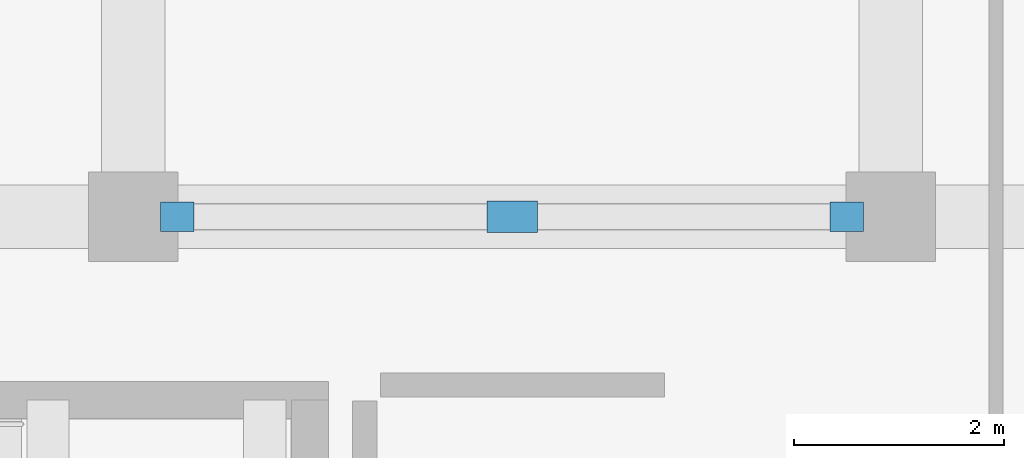
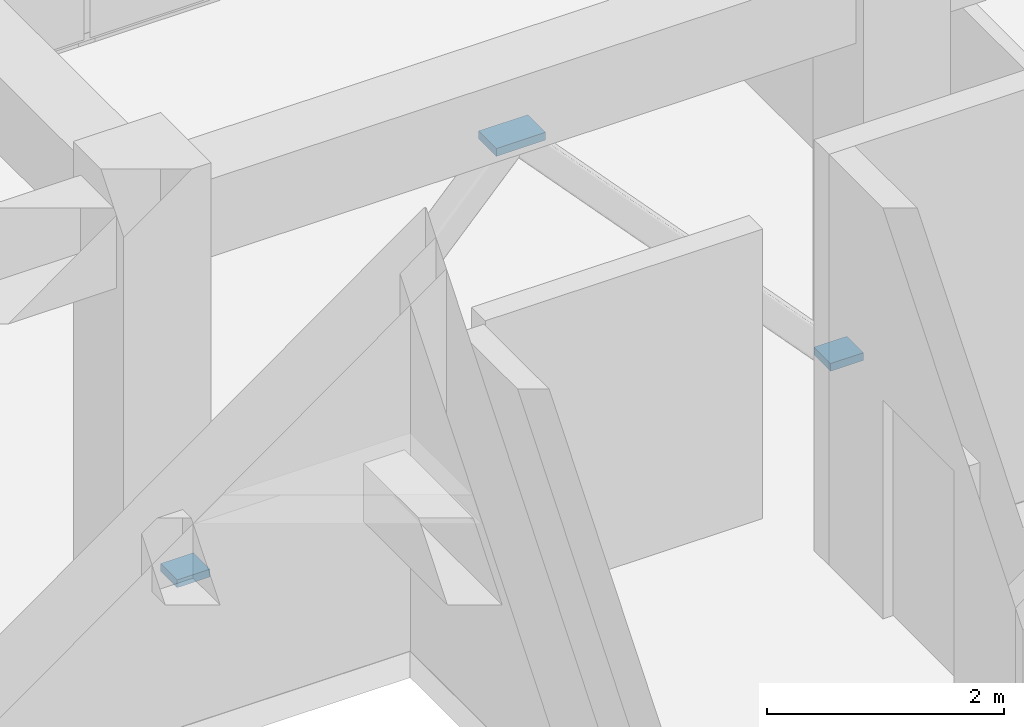
# One storey, part 49 of 56: 3 discrete accessories.
"""IFC4 building model written with IfcOpenShell, lengths in metres."""

from ifc_helpers import new_model, si_unit, direction, frame, origin, origin_2d, place, context, subcontext, project, spatial, rectangle, extrude, material, type_object, element, save


model = new_model("IFC4")

# Units and contexts
model_context = context("Model", 3, precision=1e-05, world=origin(), true_north=direction((0.0, 1.0)))
body_context = subcontext(model_context, "Body", "Model", "MODEL_VIEW")
ifc_project = project(units=[si_unit("LENGTHUNIT", "METRE"), si_unit("AREAUNIT", "SQUARE_METRE"), si_unit("VOLUMEUNIT", "CUBIC_METRE"), si_unit("PLANEANGLEUNIT", "RADIAN"), si_unit("MASSUNIT", "GRAM", prefix="KILO")], contexts=[model_context])

# Site, building, storey
site_placement = place(None, origin())
site = spatial("IfcSite", under=ifc_project, at=site_placement, CompositionType="ELEMENT")
building_placement = place(site_placement, origin())
building = spatial("IfcBuilding", under=site, at=building_placement, Name="Kazehaya Institute of Natural Sciences", CompositionType="ELEMENT")
storey_placement = place(building_placement, frame((0.0, 0.0, 24.300048828125)))
storey = spatial("IfcBuildingStorey", under=building, at=storey_placement, Name="L05", CompositionType="ELEMENT", Elevation=24.300048828125)

# Discrete accessories
ifc_material = material(Name="Structural steel SN490B", Category="steel")
discrete_accessory_type = type_object("IfcDiscreteAccessoryType", Name="ACC-STL-CAP", PredefinedType="BRACKET", material=ifc_material)
for number, where, z_axis, x_axis, name in (
    (1, (69.419921875, 28.39990234375, 0.010009765625), (0.0, 0.0, 1.0), (1.0, 0.0, 0.0), "L05 brace base gusset end plate 11"),
    (2, (75.780029296875, 28.39990234375, 0.010009765625), (0.0, 0.0, 1.0), (1.0, 0.0, 0.0), "L05 brace base gusset end plate 12"),
):
    element("IfcDiscreteAccessory", number, at=place(storey_placement, frame(where, z_axis=z_axis, x_axis=x_axis)), inside=storey, type_object=discrete_accessory_type, Name=name, PredefinedType="BRACKET", context=body_context, shape_type="SweptSolid", body=[
        extrude(rectangle(XDim=0.320068359375, YDim=0.280029296875, at=origin_2d()), origin(), (0.0, 0.0, 1.0), 0.080078125),
    ])
discrete_accessory_placement = place(storey_placement, frame((72.60009765625, 28.39990234375, 3.369873046875), z_axis=(0.0, 0.0, 1.0), x_axis=(1.0, 0.0, 0.0)))
element("IfcDiscreteAccessory", 3, at=discrete_accessory_placement, inside=storey, type_object=discrete_accessory_type, Name="L05 chevron brace apex gusset plate", PredefinedType="BRACKET", context=body_context, shape_type="SweptSolid", body=[
    extrude(rectangle(XDim=0.47998046875, YDim=0.300048828125, at=origin_2d()), origin(), (0.0, 0.0, 1.0), 0.080078125),
])

save(model, "model.ifc")
